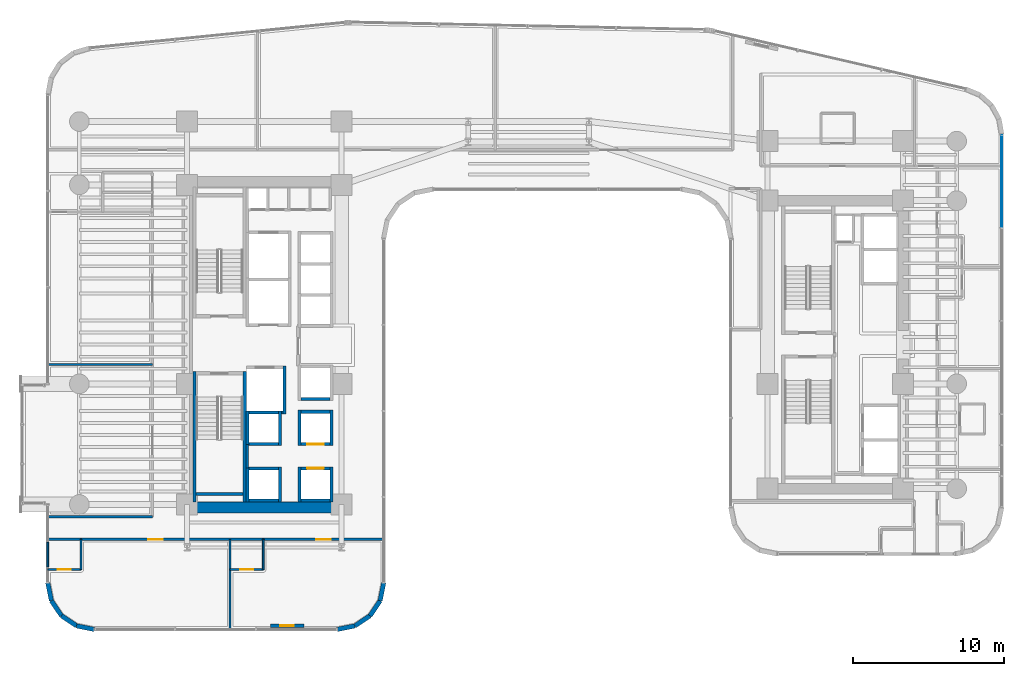
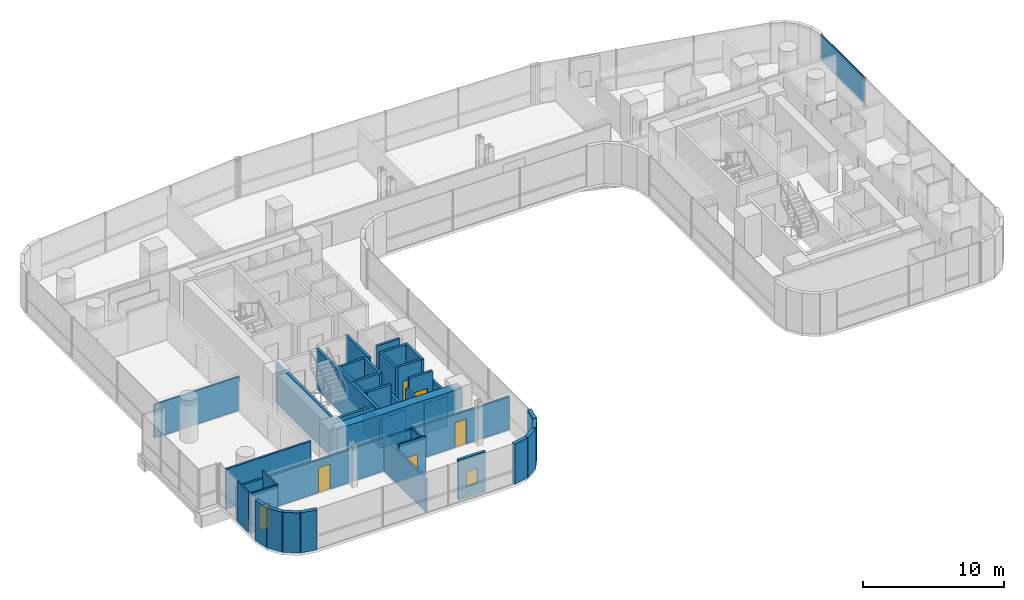
# One storey, part 30 of 41: 41 walls, 6 doors, 1 plate, 1 window, 7 openings, 1 element without a shape of its own.
"""IFC4 building model written with IfcOpenShell, lengths in metres."""

from ifc_helpers import new_model, si_unit, direction, frame, frame_2d, origin, origin_2d, place, context, subcontext, project, spatial, rectangle, extrude, source, transform, mapped, material, layer, layer_set, type_object, element, fill, aggregate, save


model = new_model("IFC4")

# Units and contexts
model_context = context("Model", 3, precision=1e-05, world=origin(), true_north=direction((0.0, 1.0)))
body_context = subcontext(model_context, "Body", "Model", "MODEL_VIEW")
ifc_project = project(units=[si_unit("LENGTHUNIT", "METRE"), si_unit("AREAUNIT", "SQUARE_METRE"), si_unit("VOLUMEUNIT", "CUBIC_METRE"), si_unit("PLANEANGLEUNIT", "RADIAN"), si_unit("MASSUNIT", "GRAM", prefix="KILO")], contexts=[model_context])

# Site, building, storey
site_placement = place(None, origin())
site = spatial("IfcSite", under=ifc_project, at=site_placement, CompositionType="ELEMENT")
building_placement = place(site_placement, origin())
building = spatial("IfcBuilding", under=site, at=building_placement, Name="Valdorenza Pilgrim Sanctuary Tower", CompositionType="ELEMENT")
storey_placement = place(building_placement, frame((0.0, 0.0, 63.0)))
storey = spatial("IfcBuildingStorey", under=building, at=storey_placement, Name="L15", CompositionType="ELEMENT", Elevation=63.0)

# Curtain wall, plate
ifc_material_1 = material(Name="Curtain-wall IGU glazing", Category="glass")
curtain_wall_type = type_object("IfcCurtainWallType", Name="CW-SYS-03", PredefinedType="NOTDEFINED", material=ifc_material_1)
curtain_wall_placement = place(storey_placement, origin())
curtain_wall = element("IfcCurtainWall", 1, at=curtain_wall_placement, inside=storey, type_object=curtain_wall_type, Name="L15 Curtain Wall CW-L15-1-21", PredefinedType="NOTDEFINED")
ifc_material_2 = material(Name="Ceramic-fritted low-E IGU glazing", Category="glass")
ifc_layer_1 = layer(ifc_material_2, 0.035888671875, Name="Ceramic-fritted low-E IGU glazing")
ifc_layer_set_1 = layer_set([ifc_layer_1], Name="Ceramic-fritted low-E IGU glazing")
plate_type = type_object("IfcPlateType", Name="CW-GLZ-IGU", PredefinedType="USERDEFINED", material=ifc_layer_set_1)
shared_shape = source(origin(), body_context, "Body", "SweptSolid", [
    extrude(rectangle(XDim=6.16357421875, YDim=0.050048828125, at=origin_2d()), origin(), (0.0, 0.0, 1.0), 2.320068359375),
])
plate_placement = place(storey_placement, frame((31.389892578125, 10.853271484375, 1.1298828125), z_axis=(0.0, 0.0, 1.0), x_axis=(0.0, -1.0, 0.0)))
plate = element("IfcPlate", 2, at=plate_placement, type_object=plate_type, Name="CW-L15-1-21 Facade Panel 1", ObjectType="GLAZING", PredefinedType="USERDEFINED", context=body_context, shape_type="MappedRepresentation", body=[
    mapped(shared_shape, transform((0.0, 0.0, 0.0), x_axis=(1.0, 0.0, 0.0), y_axis=(0.0, 1.0, 0.0), z_axis=(0.0, 0.0, 1.0), scale=1.0)),
])
aggregate(curtain_wall, [plate])

# Wall
ifc_material_3 = material(Name="Acoustic twin-stud gypsum partition", Category="gypsum")
ifc_layer_2 = layer(ifc_material_3, 0.159912109375, Name="Acoustic twin-stud gypsum partition")
ifc_layer_set_2 = layer_set([ifc_layer_2], Name="Acoustic twin-stud gypsum partition")
wall_type_1 = type_object("IfcWallType", Name="WAL-COR-160", PredefinedType="PARTITIONING", material=ifc_layer_set_2)
wall_1_placement = place(storey_placement, frame((-18.64990234375, -8.179931640625, 0.0), z_axis=(0.0, 0.0, 1.0), x_axis=(0.0, 1.0, 0.0)))
element("IfcWall", 3, at=wall_1_placement, inside=storey, type_object=wall_type_1, Name="L15 Core A South Lift Hall West Wall", PredefinedType="PARTITIONING", context=body_context, shape_type="SweptSolid", body=[
    extrude(rectangle(XDim=1.559814453125, YDim=0.159912109375, at=frame_2d((0.77978515625, 0.0))), origin(), (0.0, 0.0, 1.0), 3.4599609375),
])

# Wall, openings, doors
wall_2_placement = place(storey_placement, frame((-31.889892578125, -12.919921875, 0.0), z_axis=(0.0, 0.0, 1.0), x_axis=(1.0, 0.0, 0.0)))
wall_2 = element("IfcWall", 4, at=wall_2_placement, inside=storey, type_object=wall_type_1, Name="L15 South Wing Corridor Wall", PredefinedType="PARTITIONING", context=body_context, shape_type="SweptSolid", body=[
    extrude(rectangle(XDim=22.27978515625, YDim=0.159912109375, at=frame_2d((11.139892578125, 0.0))), origin(), (0.0, 0.0, 1.0), 2.833984375),
])
opening_1_placement = place(wall_2_placement, frame((6.669921875, 0.0, 0.0)))
opening_1 = element("IfcOpeningElement", 5, at=opening_1_placement, cuts=wall_2, Name="Opening DR-UN1", PredefinedType="OPENING", context=body_context, shape_type="SweptSolid", body=[
    extrude(rectangle(XDim=0.949951171875, YDim=2.14990234375, at=frame_2d((0.47509765625, 1.074951171875))), frame((0.0, 0.0947265625, 0.0), z_axis=(0.0, -1.0, 0.0), x_axis=(1.0, 0.0, 0.0)), (0.0, 0.0, 1.0), 0.189697265625),
])
opening_2_placement = place(wall_2_placement, frame((17.81005859375, 0.0, 0.0)))
opening_2 = element("IfcOpeningElement", 6, at=opening_2_placement, cuts=wall_2, Name="Opening DR-UN1", PredefinedType="OPENING", context=body_context, shape_type="SweptSolid", body=[
    extrude(rectangle(XDim=0.949951171875, YDim=2.14990234375, at=frame_2d((0.47509765625, 1.074951171875))), frame((0.0, 0.0947265625, 0.0), z_axis=(0.0, -1.0, 0.0), x_axis=(1.0, 0.0, 0.0)), (0.0, 0.0, 1.0), 0.189697265625),
])
ifc_material_4 = material(Name="Solid-core European oak timber", Category="wood")
door_type_1 = type_object("IfcDoorType", Name="DR-UNIT-950", OperationType="NOTDEFINED", PredefinedType="DOOR", material=ifc_material_4)
door_1_placement = place(opening_1_placement, origin())
door_1 = element("IfcDoor", 7, at=door_1_placement, inside=storey, type_object=door_type_1, Name="L15 South Guest Room L15-S1 Entrance Door", OperationType="SINGLE_SWING_RIGHT", OverallHeight=2.14990234375, OverallWidth=0.949951171875, PredefinedType="DOOR", context=body_context, shape_type="SweptSolid", body=[
    extrude(rectangle(XDim=0.949951171875, YDim=2.14990234375, at=frame_2d((0.47509765625, 1.074951171875))), frame((0.0, 0.02490234375, 0.0), z_axis=(0.0, -1.0, 0.0), x_axis=(1.0, 0.0, 0.0)), (0.0, 0.0, 1.0), 0.050048828125),
])
fill(opening_1, door_1)
door_2_placement = place(opening_2_placement, origin())
door_2 = element("IfcDoor", 8, at=door_2_placement, inside=storey, type_object=door_type_1, Name="L15 South Guest Room L15-S2 Entrance Door", OperationType="SINGLE_SWING_RIGHT", OverallHeight=2.14990234375, OverallWidth=0.949951171875, PredefinedType="DOOR", context=body_context, shape_type="SweptSolid", body=[
    extrude(rectangle(XDim=0.949951171875, YDim=2.14990234375, at=frame_2d((0.47509765625, 1.074951171875))), frame((0.0, 0.02490234375, 0.0), z_axis=(0.0, -1.0, 0.0), x_axis=(1.0, 0.0, 0.0)), (0.0, 0.0, 1.0), 0.050048828125),
])
fill(opening_2, door_2)

# Walls
wall_3_placement = place(storey_placement, frame((-31.889892578125, -11.419921875, 0.0), z_axis=(0.0, 0.0, 1.0), x_axis=(1.0, 0.0, 0.0)))
element("IfcWall", 9, at=wall_3_placement, inside=storey, type_object=wall_type_1, Name="L15 South-West Corridor North Wall", PredefinedType="PARTITIONING", context=body_context, shape_type="SweptSolid", body=[
    extrude(rectangle(XDim=6.93994140625, YDim=0.159912109375, at=frame_2d((3.469970703125, 0.0))), origin(), (0.0, 0.0, 1.0), 3.4599609375),
])
ifc_material_5 = material(Name="Concrete C60/75", Category="concrete")
ifc_layer_3 = layer(ifc_material_5, 0.699951171875, Name="Concrete C60/75")
ifc_layer_set_3 = layer_set([ifc_layer_3], Name="Concrete C60/75")
wall_type_2 = type_object("IfcWallType", Name="WAL-COR-700", PredefinedType="SHEAR", material=ifc_layer_set_3)
wall_4_placement = place(storey_placement, frame((-22.64990234375, -10.800048828125, 0.0), z_axis=(0.0, 0.0, 1.0), x_axis=(1.0, 0.0, 0.0)))
element("IfcWall", 10, at=wall_4_placement, inside=storey, type_object=wall_type_2, Name="L15 Split Core A Shear Wall S", PredefinedType="SHEAR", context=body_context, shape_type="SweptSolid", body=[
    extrude(rectangle(XDim=10.25, YDim=0.699951171875, at=frame_2d((5.125, 0.0))), origin(), (0.0, 0.0, 1.0), 3.4599609375),
])
ifc_material_6 = material(Name="Honed travertine limestone", Category="masonry")
ifc_layer_4 = layer(ifc_material_6, 0.300048828125, Name="Honed travertine limestone")
ifc_layer_set_4 = layer_set([ifc_layer_4], Name="Honed travertine limestone")
wall_type_3 = type_object("IfcWallType", Name="WAL-EXT-300", PredefinedType="SOLIDWALL", material=ifc_layer_set_4)
wall_5_placement = place(storey_placement, frame((-9.610107421875, -15.789306640625, 0.0), z_axis=(0.0, 0.0, 1.0), x_axis=(-0.194996050505, -0.980804027463, 0.0)))
element("IfcWall", 11, at=wall_5_placement, inside=storey, type_object=wall_type_3, Name="L15 Rounded Wind-Corner Stone Pier 42", PredefinedType="SOLIDWALL", context=body_context, shape_type="SweptSolid", body=[
    extrude(rectangle(XDim=1.2158203125, YDim=0.300048828125, at=frame_2d((0.60791015625, 0.0))), origin(), (0.0, 0.0, 1.0), 3.4599609375),
])
for number, where, z_axis, x_axis, name in (
    (12, (-9.84716796875, -16.981689453125, 0.0), (0.0, 0.0, 1.0), (-0.555635100982, -0.831426265255, 0.0), "L15 Rounded Wind-Corner Stone Pier 43"),
    (13, (-10.5166015625, -17.9833984375, 0.0), (0.0, 0.0, 1.0), (-0.831426265255, -0.555635100982, 0.0), "L15 Rounded Wind-Corner Stone Pier 44"),
):
    element("IfcWall", number, at=place(storey_placement, frame(where, z_axis=z_axis, x_axis=x_axis)), inside=storey, type_object=wall_type_3, Name=name, PredefinedType="SOLIDWALL", context=body_context, shape_type="SweptSolid", body=[
        extrude(rectangle(XDim=1.204833984375, YDim=0.300048828125, at=frame_2d((0.6025390625, 0.0))), origin(), (0.0, 0.0, 1.0), 3.4599609375),
    ])
wall_6_placement = place(storey_placement, frame((-11.518310546875, -18.65283203125, 0.0), z_axis=(0.0, 0.0, 1.0), x_axis=(-0.980804027463, -0.194996050505, 0.0)))
element("IfcWall", 14, at=wall_6_placement, inside=storey, type_object=wall_type_3, Name="L15 Rounded Wind-Corner Stone Pier 45", PredefinedType="SOLIDWALL", context=body_context, shape_type="SweptSolid", body=[
    extrude(rectangle(XDim=1.2158203125, YDim=0.300048828125, at=frame_2d((0.60791015625, 0.0))), origin(), (0.0, 0.0, 1.0), 3.4599609375),
])

# Wall, opening, window
wall_7_placement = place(storey_placement, frame((-14.910888671875, -18.64990234375, 0.0), z_axis=(0.0, 0.0, 1.0), x_axis=(-1.0, 0.0, 0.0)))
wall_7 = element("IfcWall", 15, at=wall_7_placement, inside=storey, type_object=wall_type_3, Name="L15 Operable Ventilation Sash Jamb Pier", PredefinedType="SOLIDWALL", context=body_context, shape_type="SweptSolid", body=[
    extrude(rectangle(XDim=2.199951171875, YDim=0.219970703125, at=frame_2d((1.10009765625, 0.0))), origin(), (0.0, 0.0, 1.0), 3.4599609375),
])
opening_3_placement = place(wall_7_placement, frame((0.64990234375, 0.0, 0.949951171875)))
opening_3 = element("IfcOpeningElement", 16, at=opening_3_placement, cuts=wall_7, Name="Opening WN-OP1", PredefinedType="OPENING", context=body_context, shape_type="SweptSolid", body=[
    extrude(rectangle(XDim=0.89990234375, YDim=1.300048828125, at=frame_2d((0.449951171875, 0.64990234375))), frame((0.0, 0.125, 0.0), z_axis=(0.0, -1.0, 0.0), x_axis=(1.0, 0.0, 0.0)), (0.0, 0.0, 1.0), 0.249755859375),
])
window_type = type_object("IfcWindowType", Name="WIN-OPN-900", PartitioningType="SINGLE_PANEL", PredefinedType="WINDOW", material=ifc_material_2)
window_placement = place(opening_3_placement, origin())
window = element("IfcWindow", 17, at=window_placement, inside=storey, type_object=window_type, Name="L15 Parallel-Pop-Out Operable Facade Panel", OverallHeight=1.300048828125, OverallWidth=0.89990234375, PartitioningType="SINGLE_PANEL", PredefinedType="WINDOW", context=body_context, shape_type="SweptSolid", body=[
    extrude(rectangle(XDim=0.89990234375, YDim=1.300048828125, at=frame_2d((0.449951171875, 0.64990234375))), frame((0.0, 0.030029296875, 0.0), z_axis=(0.0, -1.0, 0.0), x_axis=(1.0, 0.0, 0.0)), (0.0, 0.0, 1.0), 0.06005859375),
])
fill(opening_3, window)

# Walls
wall_8_placement = place(storey_placement, frame((-28.789306640625, -18.889892578125, 0.0), z_axis=(0.0, 0.0, 1.0), x_axis=(-0.980804027463, 0.194996050505, 0.0)))
element("IfcWall", 18, at=wall_8_placement, inside=storey, type_object=wall_type_3, Name="L15 Rounded Wind-Corner Stone Pier 47", PredefinedType="SOLIDWALL", context=body_context, shape_type="SweptSolid", body=[
    extrude(rectangle(XDim=1.2158203125, YDim=0.300048828125, at=frame_2d((0.60791015625, 0.0))), origin(), (0.0, 0.0, 1.0), 3.4599609375),
])
for number, where, z_axis, x_axis, name in (
    (19, (-29.981689453125, -18.65283203125, 0.0), (0.0, 0.0, 1.0), (-0.831426265255, 0.555635100982, 0.0), "L15 Rounded Wind-Corner Stone Pier 48"),
    (20, (-30.9833984375, -17.9833984375, 0.0), (0.0, 0.0, 1.0), (-0.555635100982, 0.831426265255, 0.0), "L15 Rounded Wind-Corner Stone Pier 49"),
):
    element("IfcWall", number, at=place(storey_placement, frame(where, z_axis=z_axis, x_axis=x_axis)), inside=storey, type_object=wall_type_3, Name=name, PredefinedType="SOLIDWALL", context=body_context, shape_type="SweptSolid", body=[
        extrude(rectangle(XDim=1.204833984375, YDim=0.300048828125, at=frame_2d((0.6025390625, 0.0))), origin(), (0.0, 0.0, 1.0), 3.4599609375),
    ])
wall_9_placement = place(storey_placement, frame((-31.65283203125, -16.981689453125, 0.0), z_axis=(0.0, 0.0, 1.0), x_axis=(-0.194996050505, 0.980804027463, 0.0)))
element("IfcWall", 21, at=wall_9_placement, inside=storey, type_object=wall_type_3, Name="L15 Rounded Wind-Corner Stone Pier 50", PredefinedType="SOLIDWALL", context=body_context, shape_type="SweptSolid", body=[
    extrude(rectangle(XDim=1.2158203125, YDim=0.300048828125, at=frame_2d((0.60791015625, 0.0))), origin(), (0.0, 0.0, 1.0), 3.4599609375),
])
ifc_material_7 = material(Name="Moisture-resistant gypsum partition", Category="gypsum")
ifc_layer_5 = layer(ifc_material_7, 0.1201171875, Name="Moisture-resistant gypsum partition")
ifc_layer_set_5 = layer_set([ifc_layer_5], Name="Moisture-resistant gypsum partition")
wall_type_4 = type_object("IfcWallType", Name="WAL-INT-120", PredefinedType="PARTITIONING", material=ifc_layer_set_5)
wall_10_placement = place(storey_placement, frame((-29.68994140625, -14.919921875, 0.0), z_axis=(0.0, 0.0, 1.0), x_axis=(0.0, 1.0, 0.0)))
element("IfcWall", 22, at=wall_10_placement, inside=storey, type_object=wall_type_4, Name="L15 South Guest Room L15-S1 En-suite East Wall", PredefinedType="PARTITIONING", context=body_context, shape_type="SweptSolid", body=[
    extrude(rectangle(XDim=2.0, YDim=0.1201171875, at=frame_2d((1.0, 0.0))), origin(), (0.0, 0.0, 1.0), 3.4599609375),
])

# Wall, opening, door
wall_11_placement = place(storey_placement, frame((-31.889892578125, -14.919921875, 0.0), z_axis=(0.0, 0.0, 1.0), x_axis=(1.0, 0.0, 0.0)))
wall_11 = element("IfcWall", 23, at=wall_11_placement, inside=storey, type_object=wall_type_4, Name="L15 South Guest Room L15-S1 En-suite Door Wall", PredefinedType="PARTITIONING", context=body_context, shape_type="SweptSolid", body=[
    extrude(rectangle(XDim=2.199951171875, YDim=0.1201171875, at=frame_2d((1.10009765625, 0.0))), origin(), (0.0, 0.0, 1.0), 3.4599609375),
])
opening_4_placement = place(wall_11_placement, frame((0.675048828125, 0.0, 0.0)))
opening_4 = element("IfcOpeningElement", 24, at=opening_4_placement, cuts=wall_11, Name="Opening DR-WC1", PredefinedType="OPENING", context=body_context, shape_type="SweptSolid", body=[
    extrude(rectangle(XDim=0.85009765625, YDim=2.10009765625, at=frame_2d((0.425048828125, 1.050048828125))), frame((0.0, 0.074951171875, 0.0), z_axis=(0.0, -1.0, 0.0), x_axis=(1.0, 0.0, 0.0)), (0.0, 0.0, 1.0), 0.14990234375),
])
ifc_material_8 = material(Name="Moisture-resistant lacquered timber", Category="wood")
door_type_2 = type_object("IfcDoorType", Name="DR-BATH-850", OperationType="NOTDEFINED", PredefinedType="DOOR", material=ifc_material_8)
door_3_placement = place(opening_4_placement, origin())
door_3 = element("IfcDoor", 25, at=door_3_placement, inside=storey, type_object=door_type_2, Name="L15 South Guest Room L15-S1 En-suite Bathroom Door", OperationType="SINGLE_SWING_LEFT", OverallHeight=2.10009765625, OverallWidth=0.85009765625, PredefinedType="DOOR", context=body_context, shape_type="SweptSolid", body=[
    extrude(rectangle(XDim=0.85009765625, YDim=2.10009765625, at=frame_2d((0.425048828125, 1.050048828125))), frame((0.0, 0.02490234375, 0.0), z_axis=(0.0, -1.0, 0.0), x_axis=(1.0, 0.0, 0.0)), (0.0, 0.0, 1.0), 0.050048828125),
])
fill(opening_4, door_3)

# Walls
wall_12_placement = place(storey_placement, frame((-31.889892578125, -14.739990234375, 0.0), z_axis=(0.0, 0.0, 1.0), x_axis=(0.0, 1.0, 0.0)))
element("IfcWall", 26, at=wall_12_placement, inside=storey, type_object=wall_type_4, Name="L15 SW-G1-ENS Enclosure Wall W", PredefinedType="PARTITIONING", context=body_context, shape_type="SweptSolid", body=[
    extrude(rectangle(XDim=1.619873046875, YDim=0.1201171875, at=frame_2d((0.81005859375, 0.0))), origin(), (0.0, 0.0, 1.0), 3.4599609375),
])
wall_13_placement = place(storey_placement, frame((-17.60009765625, -14.919921875, 0.0), z_axis=(0.0, 0.0, 1.0), x_axis=(0.0, 1.0, 0.0)))
element("IfcWall", 27, at=wall_13_placement, inside=storey, type_object=wall_type_4, Name="L15 South Guest Room L15-S2 En-suite East Wall", PredefinedType="PARTITIONING", context=body_context, shape_type="SweptSolid", body=[
    extrude(rectangle(XDim=2.0, YDim=0.1201171875, at=frame_2d((1.0, 0.0))), origin(), (0.0, 0.0, 1.0), 2.89599609375),
])

# Wall, opening, door
wall_14_placement = place(storey_placement, frame((-19.800048828125, -14.919921875, 0.0), z_axis=(0.0, 0.0, 1.0), x_axis=(1.0, 0.0, 0.0)))
wall_14 = element("IfcWall", 28, at=wall_14_placement, inside=storey, type_object=wall_type_4, Name="L15 South Guest Room L15-S2 En-suite Door Wall", PredefinedType="PARTITIONING", context=body_context, shape_type="SweptSolid", body=[
    extrude(rectangle(XDim=2.199951171875, YDim=0.1201171875, at=frame_2d((1.10009765625, 0.0))), origin(), (0.0, 0.0, 1.0), 3.4599609375),
])
opening_5_placement = place(wall_14_placement, frame((0.675048828125, 0.0, 0.0)))
opening_5 = element("IfcOpeningElement", 29, at=opening_5_placement, cuts=wall_14, Name="Opening DR-WC1", PredefinedType="OPENING", context=body_context, shape_type="SweptSolid", body=[
    extrude(rectangle(XDim=0.85009765625, YDim=2.10009765625, at=frame_2d((0.425048828125, 1.050048828125))), frame((0.0, 0.074951171875, 0.0), z_axis=(0.0, -1.0, 0.0), x_axis=(1.0, 0.0, 0.0)), (0.0, 0.0, 1.0), 0.14990234375),
])
door_4_placement = place(opening_5_placement, origin())
door_4 = element("IfcDoor", 30, at=door_4_placement, inside=storey, type_object=door_type_2, Name="L15 South Guest Room L15-S2 En-suite Bathroom Door", OperationType="SINGLE_SWING_LEFT", OverallHeight=2.10009765625, OverallWidth=0.85009765625, PredefinedType="DOOR", context=body_context, shape_type="SweptSolid", body=[
    extrude(rectangle(XDim=0.85009765625, YDim=2.10009765625, at=frame_2d((0.425048828125, 1.050048828125))), frame((0.0, 0.02490234375, 0.0), z_axis=(0.0, -1.0, 0.0), x_axis=(1.0, 0.0, 0.0)), (0.0, 0.0, 1.0), 0.050048828125),
])
fill(opening_5, door_4)

# Walls
ifc_material_9 = material(Name="Autoclaved aerated concrete blockwork", Category="masonry")
ifc_layer_6 = layer(ifc_material_9, 0.199951171875, Name="Autoclaved aerated concrete blockwork")
ifc_layer_set_6 = layer_set([ifc_layer_6], Name="Autoclaved aerated concrete blockwork")
wall_type_5 = type_object("IfcWallType", Name="WAL-SHF-200", PredefinedType="MOVABLE", material=ifc_layer_set_6)
wall_15_placement = place(storey_placement, frame((-16.199951171875, -4.60009765625, 0.0), z_axis=(0.0, 0.0, 1.0), x_axis=(0.0, 1.0, 0.0)))
element("IfcWall", 31, at=wall_15_placement, inside=storey, type_object=wall_type_5, Name="L15 Lift FFL-02 Hoistway Wall East", PredefinedType="MOVABLE", context=body_context, shape_type="SweptSolid", body=[
    extrude(rectangle(XDim=3.2001953125, YDim=0.199951171875, at=frame_2d((1.60009765625, 0.0))), origin(), (0.0, 0.0, 1.0), 3.4599609375),
])
wall_16_placement = place(storey_placement, frame((-18.719970703125, -4.5, 0.0), z_axis=(0.0, 0.0, 1.0), x_axis=(1.0, 0.0, 0.0)))
element("IfcWall", 32, at=wall_16_placement, inside=storey, type_object=wall_type_5, Name="L15 Lift FFL-02 Hoistway Wall South", PredefinedType="MOVABLE", context=body_context, shape_type="SweptSolid", body=[
    extrude(rectangle(XDim=2.419921875, YDim=0.199951171875, at=frame_2d((1.2099609375, 0.0))), origin(), (0.0, 0.0, 1.0), 3.4599609375),
])
for number, where, z_axis, x_axis, name in (
    (33, (-15.199951171875, -10.449951171875, 0.0), (0.0, 0.0, 1.0), (0.0, 1.0, 0.0), "L15 Lift PL-01 Hoistway Wall West"),
    (34, (-13.080078125, -10.449951171875, 0.0), (0.0, 0.0, 1.0), (0.0, 1.0, 0.0), "L15 Lift PL-01 Hoistway Wall East"),
):
    element("IfcWall", number, at=place(storey_placement, frame(where, z_axis=z_axis, x_axis=x_axis)), inside=storey, type_object=wall_type_5, Name=name, PredefinedType="MOVABLE", context=body_context, shape_type="SweptSolid", body=[
        extrude(rectangle(XDim=2.349853515625, YDim=0.199951171875, at=frame_2d((1.1748046875, 0.0))), origin(), (0.0, 0.0, 1.0), 2.5830078125),
    ])
wall_17_placement = place(storey_placement, frame((-15.10009765625, -10.35009765625, 0.0), z_axis=(0.0, 0.0, 1.0), x_axis=(1.0, 0.0, 0.0)))
element("IfcWall", 35, at=wall_17_placement, inside=storey, type_object=wall_type_5, Name="L15 Lift PL-01 Hoistway Wall South", PredefinedType="MOVABLE", context=body_context, shape_type="SweptSolid", body=[
    extrude(rectangle(XDim=1.920166015625, YDim=0.199951171875, at=frame_2d((0.9599609375, 0.0))), origin(), (0.0, 0.0, 1.0), 2.5830078125),
])

# Wall, opening, door
wall_18_placement = place(storey_placement, frame((-15.10009765625, -8.199951171875, 0.0), z_axis=(0.0, 0.0, 1.0), x_axis=(1.0, 0.0, 0.0)))
wall_18 = element("IfcWall", 36, at=wall_18_placement, inside=storey, type_object=wall_type_5, Name="L15 Lift PL-01 Hoistway Wall North", PredefinedType="MOVABLE", context=body_context, shape_type="SweptSolid", body=[
    extrude(rectangle(XDim=1.920166015625, YDim=0.199951171875, at=frame_2d((0.9599609375, 0.0))), origin(), (0.0, 0.0, 1.0), 3.4599609375),
])
opening_6_placement = place(wall_18_placement, frame((0.409912109375, 0.0, 0.0)))
opening_6 = element("IfcOpeningElement", 37, at=opening_6_placement, cuts=wall_18, Name="Opening LD-01", PredefinedType="OPENING", context=body_context, shape_type="SweptSolid", body=[
    extrude(rectangle(XDim=1.10009765625, YDim=2.10009765625, at=frame_2d((0.550048828125, 1.050048828125))), frame((0.0, 0.11474609375, 0.0), z_axis=(0.0, -1.0, 0.0), x_axis=(1.0, 0.0, 0.0)), (0.0, 0.0, 1.0), 0.229736328125),
])
ifc_material_10 = material(Name="Brushed stainless steel Grade 316", Category="steel")
door_type_3 = type_object("IfcDoorType", Name="DR-LFT-1100", OperationType="DOUBLE_DOOR_SLIDING", PredefinedType="DOOR", material=ifc_material_10)
door_5_placement = place(opening_6_placement, origin())
door_5 = element("IfcDoor", 38, at=door_5_placement, inside=storey, type_object=door_type_3, Name="L15 Lift PL-01 Sliding Landing Door", OperationType="DOUBLE_DOOR_SLIDING", OverallHeight=2.10009765625, OverallWidth=1.10009765625, PredefinedType="DOOR", context=body_context, shape_type="SweptSolid", body=[
    extrude(rectangle(XDim=1.10009765625, YDim=2.10009765625, at=frame_2d((0.550048828125, 1.050048828125))), frame((0.0, 0.02490234375, 0.0), z_axis=(0.0, -1.0, 0.0), x_axis=(1.0, 0.0, 0.0)), (0.0, 0.0, 1.0), 0.050048828125),
])
fill(opening_6, door_5)

# Walls
for number, where, z_axis, x_axis, name in (
    (39, (-15.199951171875, -6.699951171875, 0.0), (0.0, 0.0, 1.0), (0.0, 1.0, 0.0), "L15 Lift PL-02 Hoistway Wall West"),
    (40, (-13.080078125, -6.699951171875, 0.0), (0.0, 0.0, 1.0), (0.0, 1.0, 0.0), "L15 Lift PL-02 Hoistway Wall East"),
):
    element("IfcWall", number, at=place(storey_placement, frame(where, z_axis=z_axis, x_axis=x_axis)), inside=storey, type_object=wall_type_5, Name=name, PredefinedType="MOVABLE", context=body_context, shape_type="SweptSolid", body=[
        extrude(rectangle(XDim=2.349853515625, YDim=0.199951171875, at=frame_2d((1.1748046875, 0.0))), origin(), (0.0, 0.0, 1.0), 3.4599609375),
    ])

# Wall, opening, door
wall_19_placement = place(storey_placement, frame((-15.10009765625, -6.60009765625, 0.0), z_axis=(0.0, 0.0, 1.0), x_axis=(1.0, 0.0, 0.0)))
wall_19 = element("IfcWall", 41, at=wall_19_placement, inside=storey, type_object=wall_type_5, Name="L15 Lift PL-02 Hoistway Wall South", PredefinedType="MOVABLE", context=body_context, shape_type="SweptSolid", body=[
    extrude(rectangle(XDim=1.920166015625, YDim=0.199951171875, at=frame_2d((0.9599609375, 0.0))), origin(), (0.0, 0.0, 1.0), 3.4599609375),
])
opening_7_placement = place(wall_19_placement, frame((0.409912109375, 0.0, 0.0)))
opening_7 = element("IfcOpeningElement", 42, at=opening_7_placement, cuts=wall_19, Name="Opening LD-01", PredefinedType="OPENING", context=body_context, shape_type="SweptSolid", body=[
    extrude(rectangle(XDim=1.10009765625, YDim=2.10009765625, at=frame_2d((0.550048828125, 1.050048828125))), frame((0.0, 0.11474609375, 0.0), z_axis=(0.0, -1.0, 0.0), x_axis=(1.0, 0.0, 0.0)), (0.0, 0.0, 1.0), 0.229736328125),
])
door_6_placement = place(opening_7_placement, origin())
door_6 = element("IfcDoor", 43, at=door_6_placement, inside=storey, type_object=door_type_3, Name="L15 Lift PL-02 Sliding Landing Door", OperationType="DOUBLE_DOOR_SLIDING", OverallHeight=2.10009765625, OverallWidth=1.10009765625, PredefinedType="DOOR", context=body_context, shape_type="SweptSolid", body=[
    extrude(rectangle(XDim=1.10009765625, YDim=2.10009765625, at=frame_2d((0.550048828125, 1.050048828125))), frame((0.0, 0.02490234375, 0.0), z_axis=(0.0, -1.0, 0.0), x_axis=(1.0, 0.0, 0.0)), (0.0, 0.0, 1.0), 0.050048828125),
])
fill(opening_7, door_6)

# Walls
wall_20_placement = place(storey_placement, frame((-15.10009765625, -4.449951171875, 0.0), z_axis=(0.0, 0.0, 1.0), x_axis=(1.0, 0.0, 0.0)))
element("IfcWall", 44, at=wall_20_placement, inside=storey, type_object=wall_type_5, Name="L15 Lift PL-02 Hoistway Wall North", PredefinedType="MOVABLE", context=body_context, shape_type="SweptSolid", body=[
    extrude(rectangle(XDim=1.920166015625, YDim=0.199951171875, at=frame_2d((0.9599609375, 0.0))), origin(), (0.0, 0.0, 1.0), 3.4599609375),
])
for number, where, z_axis, x_axis, name in (
    (45, (-18.64990234375, -10.449951171875, 0.0), (0.0, 0.0, 1.0), (0.0, 1.0, 0.0), "L15 Lift PL-05 Hoistway Wall West"),
    (46, (-16.5, -10.449951171875, 0.0), (0.0, 0.0, 1.0), (0.0, 1.0, 0.0), "L15 Lift PL-05 Hoistway Wall East"),
):
    element("IfcWall", number, at=place(storey_placement, frame(where, z_axis=z_axis, x_axis=x_axis)), inside=storey, type_object=wall_type_5, Name=name, PredefinedType="MOVABLE", context=body_context, shape_type="SweptSolid", body=[
        extrude(rectangle(XDim=2.349853515625, YDim=0.199951171875, at=frame_2d((1.1748046875, 0.0))), origin(), (0.0, 0.0, 1.0), 2.5830078125),
    ])
wall_21_placement = place(storey_placement, frame((-18.550048828125, -10.35009765625, 0.0), z_axis=(0.0, 0.0, 1.0), x_axis=(1.0, 0.0, 0.0)))
element("IfcWall", 47, at=wall_21_placement, inside=storey, type_object=wall_type_5, Name="L15 Lift PL-05 Hoistway Wall South", PredefinedType="MOVABLE", context=body_context, shape_type="SweptSolid", body=[
    extrude(rectangle(XDim=1.949951171875, YDim=0.199951171875, at=frame_2d((0.97509765625, 0.0))), origin(), (0.0, 0.0, 1.0), 2.5830078125),
])
wall_22_placement = place(storey_placement, frame((-18.550048828125, -8.199951171875, 0.0), z_axis=(0.0, 0.0, 1.0), x_axis=(1.0, 0.0, 0.0)))
element("IfcWall", 48, at=wall_22_placement, inside=storey, type_object=wall_type_5, Name="L15 Lift PL-05 Hoistway Wall North", PredefinedType="MOVABLE", context=body_context, shape_type="SweptSolid", body=[
    extrude(rectangle(XDim=1.949951171875, YDim=0.199951171875, at=frame_2d((0.97509765625, 0.0))), origin(), (0.0, 0.0, 1.0), 3.4599609375),
])
for number, where, z_axis, x_axis, name in (
    (49, (-18.64990234375, -6.699951171875, 0.0), (0.0, 0.0, 1.0), (0.0, 1.0, 0.0), "L15 Lift PL-11 Hoistway Wall West"),
    (50, (-16.5, -6.699951171875, 0.0), (0.0, 0.0, 1.0), (0.0, 1.0, 0.0), "L15 Lift PL-11 Hoistway Wall East"),
):
    element("IfcWall", number, at=place(storey_placement, frame(where, z_axis=z_axis, x_axis=x_axis)), inside=storey, type_object=wall_type_5, Name=name, PredefinedType="MOVABLE", context=body_context, shape_type="SweptSolid", body=[
        extrude(rectangle(XDim=2.300048828125, YDim=0.199951171875, at=frame_2d((1.14990234375, 0.0))), origin(), (0.0, 0.0, 1.0), 3.4599609375),
    ])
wall_23_placement = place(storey_placement, frame((-18.550048828125, -6.60009765625, 0.0), z_axis=(0.0, 0.0, 1.0), x_axis=(1.0, 0.0, 0.0)))
element("IfcWall", 51, at=wall_23_placement, inside=storey, type_object=wall_type_5, Name="L15 Lift PL-11 Hoistway Wall South", PredefinedType="MOVABLE", context=body_context, shape_type="SweptSolid", body=[
    extrude(rectangle(XDim=1.949951171875, YDim=0.199951171875, at=frame_2d((0.97509765625, 0.0))), origin(), (0.0, 0.0, 1.0), 3.4599609375),
])
wall_24_placement = place(storey_placement, frame((-15.10009765625, -3.60009765625, 0.0), z_axis=(0.0, 0.0, 1.0), x_axis=(1.0, 0.0, 0.0)))
element("IfcWall", 52, at=wall_24_placement, inside=storey, type_object=wall_type_5, Name="L15 Lift PL-12 Hoistway Wall South", PredefinedType="MOVABLE", context=body_context, shape_type="SweptSolid", body=[
    extrude(rectangle(XDim=1.920166015625, YDim=0.199951171875, at=frame_2d((0.9599609375, 0.0))), origin(), (0.0, 0.0, 1.0), 3.4599609375),
])
ifc_material_11 = material(Name="Concrete C40/50", Category="concrete")
ifc_layer_7 = layer(ifc_material_11, 0.219970703125, Name="Concrete C40/50")
ifc_layer_set_7 = layer_set([ifc_layer_7], Name="Concrete C40/50")
wall_type_6 = type_object("IfcWallType", Name="WAL-STR-SHF-220", PredefinedType="SHEAR", material=ifc_layer_set_7)
for number, where, z_axis, x_axis, name in (
    (53, (-22.159912109375, -10.449951171875, 0.0), (0.0, 0.0, 1.0), (0.0, 1.0, 0.0), "L15 ST-A2 Structural Stairwell Wall W"),
    (54, (-18.830078125, -10.449951171875, 0.0), (0.0, 0.0, 1.0), (0.0, 1.0, 0.0), "L15 ST-A2 Structural Stairwell Wall E"),
):
    element("IfcWall", number, at=place(storey_placement, frame(where, z_axis=z_axis, x_axis=x_axis)), inside=storey, type_object=wall_type_6, Name=name, PredefinedType="SHEAR", context=body_context, shape_type="SweptSolid", body=[
        extrude(rectangle(XDim=8.669921875, YDim=0.219970703125, at=frame_2d((4.3349609375, 0.0))), origin(), (0.0, 0.0, 1.0), 3.4599609375),
    ])
wall_25_placement = place(storey_placement, frame((-22.050048828125, -9.909912109375, 0.0), z_axis=(0.0, 0.0, 1.0), x_axis=(1.0, 0.0, 0.0)))
element("IfcWall", 55, at=wall_25_placement, inside=storey, type_object=wall_type_6, Name="L15 ST-A2 Structural Stairwell Wall S", PredefinedType="SHEAR", context=body_context, shape_type="SweptSolid", body=[
    extrude(rectangle(XDim=3.110107421875, YDim=0.219970703125, at=frame_2d((1.55517578125, 0.0))), origin(), (0.0, 0.0, 1.0), 3.4599609375),
])
ifc_layer_8 = layer(ifc_material_3, 0.14990234375, Name="Acoustic twin-stud gypsum partition")
ifc_layer_set_8 = layer_set([ifc_layer_8], Name="Acoustic twin-stud gypsum partition")
wall_type_7 = type_object("IfcWallType", Name="WAL-UNT-150", PredefinedType="PARTITIONING", material=ifc_layer_set_8)
wall_26_placement = place(storey_placement, frame((-31.889892578125, -1.31005859375, 0.0), z_axis=(0.0, 0.0, 1.0), x_axis=(1.0, 0.0, 0.0)))
element("IfcWall", 56, at=wall_26_placement, inside=storey, type_object=wall_type_7, Name="L15 Theological Seminar Classroom L15-WH2 Demising Wall", PredefinedType="PARTITIONING", context=body_context, shape_type="SweptSolid", body=[
    extrude(rectangle(XDim=6.93994140625, YDim=0.14990234375, at=frame_2d((3.469970703125, 0.0))), origin(), (0.0, 0.0, 1.0), 2.89599609375),
])
wall_27_placement = place(storey_placement, frame((-19.800048828125, -18.889892578125, 0.0), z_axis=(0.0, 0.0, 1.0), x_axis=(0.0, 1.0, 0.0)))
element("IfcWall", 57, at=wall_27_placement, inside=storey, type_object=wall_type_7, Name="L15 South Demising 1", PredefinedType="PARTITIONING", context=body_context, shape_type="SweptSolid", body=[
    extrude(rectangle(XDim=5.969970703125, YDim=0.14990234375, at=frame_2d((2.98486328125, 0.0))), origin(), (0.0, 0.0, 1.0), 2.89599609375),
])

save(model, "model.ifc")
